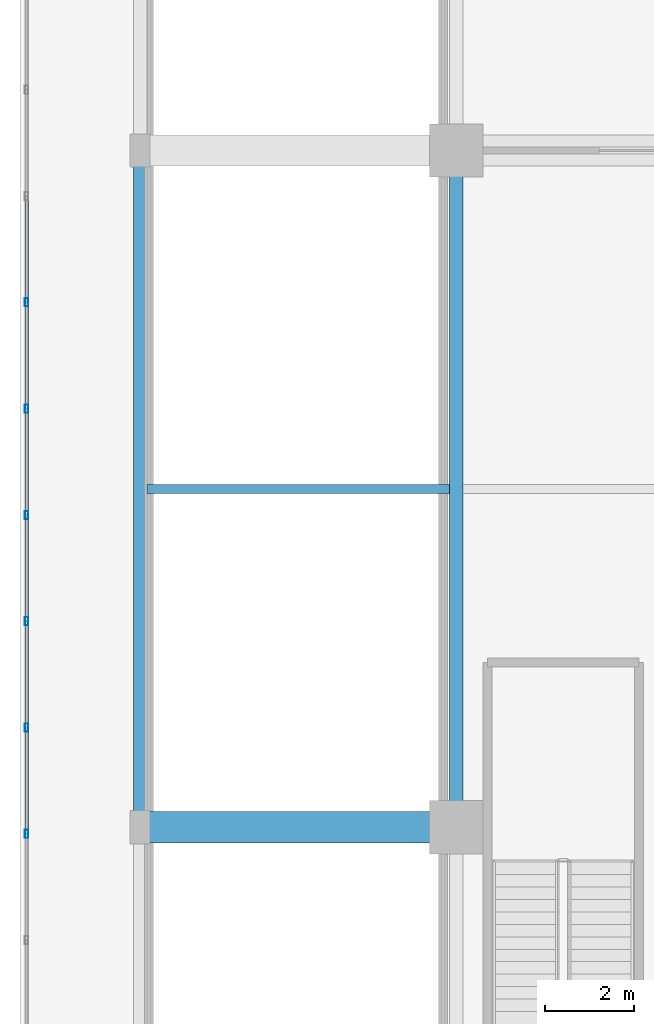
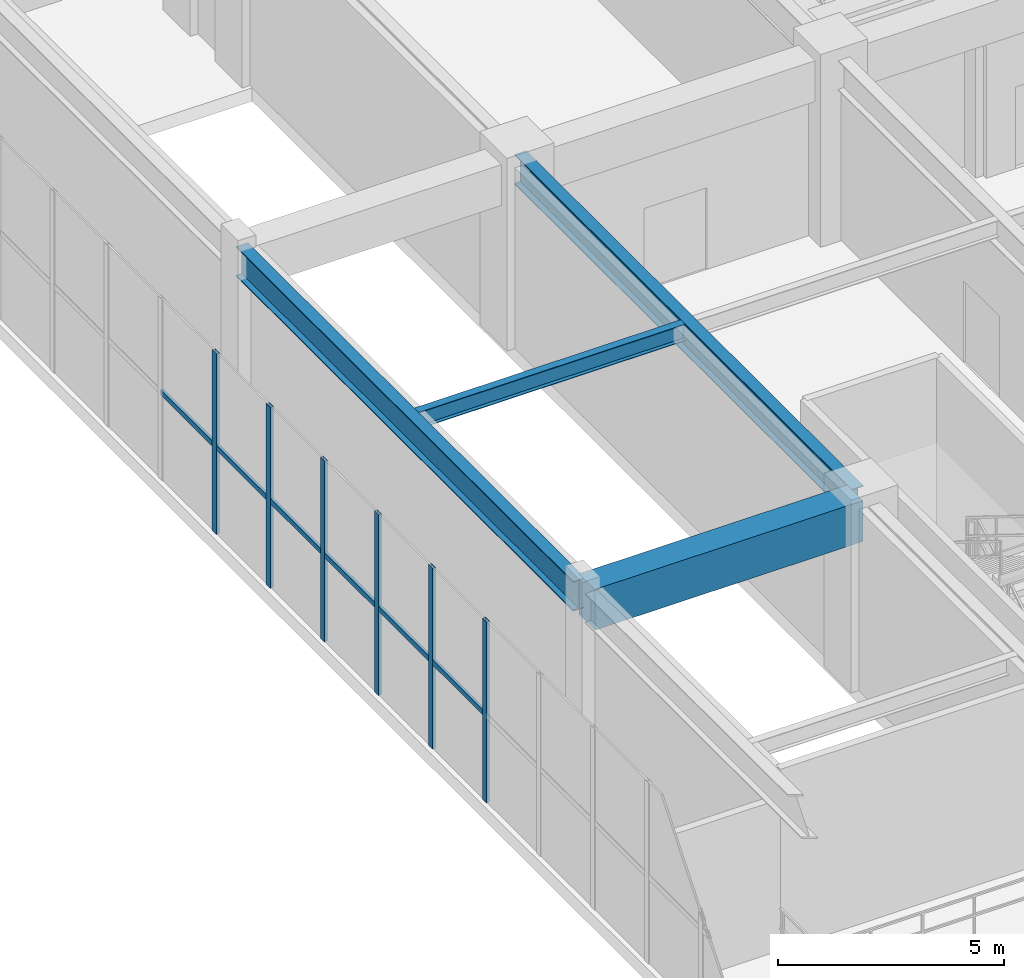
# One storey, part 8 of 40: 12 members, 4 beams, 1 element without a shape of its own.
"""IFC4 building model written with IfcOpenShell, lengths in metres."""

from ifc_helpers import new_model, si_unit, direction, frame, origin, origin_2d, place, context, subcontext, project, spatial, rectangle, hollow_rectangle, i_section, extrude, source, transform, mapped, material, material_profile, profile_set, type_object, element, aggregate, save


model = new_model("IFC4")

# Units and contexts
model_context = context("Model", 3, precision=1e-05, world=origin(), true_north=direction((0.0, 1.0)))
body_context = subcontext(model_context, "Body", "Model", "MODEL_VIEW")
ifc_project = project(units=[si_unit("LENGTHUNIT", "METRE"), si_unit("AREAUNIT", "SQUARE_METRE"), si_unit("VOLUMEUNIT", "CUBIC_METRE"), si_unit("PLANEANGLEUNIT", "RADIAN"), si_unit("MASSUNIT", "GRAM", prefix="KILO")], contexts=[model_context])

# Site, building, storey
site_placement = place(None, origin())
site = spatial("IfcSite", under=ifc_project, at=site_placement, CompositionType="ELEMENT")
building_placement = place(site_placement, origin())
building = spatial("IfcBuilding", under=site, at=building_placement, Name="Trelvane Seafront Commons", CompositionType="ELEMENT")
storey_placement = place(building_placement, origin())
storey = spatial("IfcBuildingStorey", under=building, at=storey_placement, Name="L00", CompositionType="ELEMENT", Elevation=0.0)

# Beams
ifc_material_1 = material(Name="Concrete C50/60", Category="concrete")
ifc_material_profile_1 = material_profile(ifc_material_1, rectangle(XDim=0.699951171875, YDim=1.10009765625, at=origin_2d()), Name="RC-700x1100")
ifc_profile_set_1 = profile_set([ifc_material_profile_1], Name="Concrete C50/60")
beam_type_1 = type_object("IfcBeamType", Name="STR-TBM-RC700x1100", PredefinedType="T_BEAM", material=ifc_profile_set_1)
shared_shape_1 = source(origin(), body_context, "Body", "SweptSolid", [
    extrude(rectangle(XDim=0.699951171875, YDim=1.10009765625, at=origin_2d()), origin(), (0.0, 0.0, 1.0), 6.83740234375),
])
beam_1_placement = place(storey_placement, frame((0.612548828125, 18.199951171875, 4.330078125), z_axis=(1.0, 0.0, 0.0), x_axis=(0.0, 1.0, 0.0)))
element("IfcBeam", 1, at=beam_1_placement, inside=storey, type_object=beam_type_1, Name="L00 Primary Girder G-07", PredefinedType="T_BEAM", context=body_context, shape_type="MappedRepresentation", body=[
    mapped(shared_shape_1, transform((0.0, 0.0, 0.0), x_axis=(1.0, 0.0, 0.0), y_axis=(0.0, 1.0, 0.0), z_axis=(0.0, 0.0, 1.0), scale=1.0)),
])
ifc_material_2 = material(Name="Steel SM355 (S355)", Category="steel")
ifc_material_profile_2 = material_profile(ifc_material_2, i_section(OverallWidth=0.300048828125, OverallDepth=0.800048828125, WebThickness=0.013916015625, FlangeThickness=0.02587890625, at=origin_2d()), Name="H-800x300x14x26")
ifc_profile_set_2 = profile_set([ifc_material_profile_2], Name="Steel SM355 (S355)")
beam_type_2 = type_object("IfcBeamType", Name="STR-BM-H800", PredefinedType="BEAM", material=ifc_profile_set_2)
shared_shape_2 = source(origin(), body_context, "Body", "SweptSolid", [
    extrude(i_section(OverallWidth=0.300048828125, OverallDepth=0.800048828125, WebThickness=0.013916015625, FlangeThickness=0.02587890625, at=origin_2d()), origin(), (0.0, 0.0, 1.0), 14.89990234375),
])
for number, where, z_axis, x_axis, name in (
    (2, (0.5, 18.35009765625, 4.47998046875), (0.0, 1.0, 0.0), (-1.0, 0.0, 0.0), "L00 Primary Girder G-32"),
    (3, (7.60009765625, 18.35009765625, 4.47998046875), (0.0, 1.0, 0.0), (-1.0, 0.0, 0.0), "L00 Primary Girder G-36"),
):
    element("IfcBeam", number, at=place(storey_placement, frame(where, z_axis=z_axis, x_axis=x_axis)), inside=storey, type_object=beam_type_2, Name=name, PredefinedType="BEAM", context=body_context, shape_type="MappedRepresentation", body=[
        mapped(shared_shape_2, transform((0.0, 0.0, 0.0), x_axis=(1.0, 0.0, 0.0), y_axis=(0.0, 1.0, 0.0), z_axis=(0.0, 0.0, 1.0), scale=1.0)),
    ])
ifc_material_profile_3 = material_profile(ifc_material_2, i_section(OverallWidth=0.199951171875, OverallDepth=0.449951171875, WebThickness=0.009033203125, FlangeThickness=0.013916015625, at=origin_2d()), Name="H-450x200x9x14")
ifc_profile_set_3 = profile_set([ifc_material_profile_3], Name="Steel SM355 (S355)")
beam_type_3 = type_object("IfcBeamType", Name="STR-JST-H450", PredefinedType="JOIST", material=ifc_profile_set_3)
shared_shape_3 = source(origin(), body_context, "Body", "SweptSolid", [
    extrude(i_section(OverallWidth=0.199951171875, OverallDepth=0.449951171875, WebThickness=0.009033203125, FlangeThickness=0.013916015625, at=origin_2d()), origin(), (0.0, 0.0, 1.0), 6.800048828125),
])
beam_2_placement = place(storey_placement, frame((0.64990234375, 25.800048828125, 4.655029296875), z_axis=(1.0, 0.0, 0.0), x_axis=(0.0, 1.0, 0.0)))
element("IfcBeam", 4, at=beam_2_placement, inside=storey, type_object=beam_type_3, Name="L00 Secondary Floor Joist B-65", PredefinedType="JOIST", context=body_context, shape_type="MappedRepresentation", body=[
    mapped(shared_shape_3, transform((0.0, 0.0, 0.0), x_axis=(1.0, 0.0, 0.0), y_axis=(0.0, 1.0, 0.0), z_axis=(0.0, 0.0, 1.0), scale=1.0)),
])

# Curtain wall, members
ifc_material_3 = material(Name="Anodised pale-silver aluminium", Category="aluminium")
curtain_wall_type = type_object("IfcCurtainWallType", Name="ARCH-CW4-SKYLOBBY", PredefinedType="NOTDEFINED", material=ifc_material_3)
curtain_wall_placement = place(storey_placement, origin())
curtain_wall = element("IfcCurtainWall", 5, at=curtain_wall_placement, inside=storey, type_object=curtain_wall_type, Name="CW-L00-0006", PredefinedType="NOTDEFINED")
ifc_material_profile_4 = material_profile(ifc_material_3, hollow_rectangle(XDim=0.080078125, YDim=0.179931640625, WallThickness=0.00439453125, at=origin_2d()), Name="MULL-80x180x4.5")
ifc_profile_set_4 = profile_set([ifc_material_profile_4], Name="Anodised pale-silver aluminium")
member_type_1 = type_object("IfcMemberType", Name="ARCH-CW-MULL-180", PredefinedType="MULLION", material=ifc_profile_set_4)
shared_shape_4 = source(origin(), body_context, "Body", "SweptSolid", [
    extrude(hollow_rectangle(XDim=0.080078125, YDim=0.179931640625, WallThickness=0.00439453125, at=origin_2d()), origin(), (0.0, 0.0, 1.0), 4.8798828125),
])
member_1_placement = place(storey_placement, frame((-2.050048828125, 18.052001953125, 0.0), z_axis=(0.0, 0.0, 1.0), x_axis=(1.0, 0.0, 0.0)))
member_1 = element("IfcMember", 6, at=member_1_placement, type_object=member_type_1, Name="CW-L00-0006-M06", PredefinedType="MULLION", context=body_context, shape_type="MappedRepresentation", body=[
    mapped(shared_shape_4, transform((0.0, 0.0, 0.0), x_axis=(1.0, 0.0, 0.0), y_axis=(0.0, 1.0, 0.0), z_axis=(0.0, 0.0, 1.0), scale=1.0)),
])
member_2_placement = place(storey_placement, frame((-2.050048828125, 20.43896484375, 0.0), z_axis=(0.0, 0.0, 1.0), x_axis=(1.0, 0.0, 0.0)))
member_2 = element("IfcMember", 7, at=member_2_placement, type_object=member_type_1, Name="CW-L00-0006-M07", PredefinedType="MULLION", context=body_context, shape_type="MappedRepresentation", body=[
    mapped(shared_shape_4, transform((0.0, 0.0, 0.0), x_axis=(1.0, 0.0, 0.0), y_axis=(0.0, 1.0, 0.0), z_axis=(0.0, 0.0, 1.0), scale=1.0)),
])
member_3_placement = place(storey_placement, frame((-2.050048828125, 22.825927734375, 0.0), z_axis=(0.0, 0.0, 1.0), x_axis=(1.0, 0.0, 0.0)))
member_3 = element("IfcMember", 8, at=member_3_placement, type_object=member_type_1, Name="CW-L00-0006-M08", PredefinedType="MULLION", context=body_context, shape_type="MappedRepresentation", body=[
    mapped(shared_shape_4, transform((0.0, 0.0, 0.0), x_axis=(1.0, 0.0, 0.0), y_axis=(0.0, 1.0, 0.0), z_axis=(0.0, 0.0, 1.0), scale=1.0)),
])
member_4_placement = place(storey_placement, frame((-2.050048828125, 25.212890625, 0.0), z_axis=(0.0, 0.0, 1.0), x_axis=(1.0, 0.0, 0.0)))
member_4 = element("IfcMember", 9, at=member_4_placement, type_object=member_type_1, Name="CW-L00-0006-M09", PredefinedType="MULLION", context=body_context, shape_type="MappedRepresentation", body=[
    mapped(shared_shape_4, transform((0.0, 0.0, 0.0), x_axis=(1.0, 0.0, 0.0), y_axis=(0.0, 1.0, 0.0), z_axis=(0.0, 0.0, 1.0), scale=1.0)),
])
member_5_placement = place(storey_placement, frame((-2.050048828125, 27.60009765625, 0.0), z_axis=(0.0, 0.0, 1.0), x_axis=(1.0, 0.0, 0.0)))
member_5 = element("IfcMember", 10, at=member_5_placement, type_object=member_type_1, Name="CW-L00-0006-M10", PredefinedType="MULLION", context=body_context, shape_type="MappedRepresentation", body=[
    mapped(shared_shape_4, transform((0.0, 0.0, 0.0), x_axis=(1.0, 0.0, 0.0), y_axis=(0.0, 1.0, 0.0), z_axis=(0.0, 0.0, 1.0), scale=1.0)),
])
member_6_placement = place(storey_placement, frame((-2.050048828125, 29.987060546875, 0.0), z_axis=(0.0, 0.0, 1.0), x_axis=(1.0, 0.0, 0.0)))
member_6 = element("IfcMember", 11, at=member_6_placement, type_object=member_type_1, Name="CW-L00-0006-M11", PredefinedType="MULLION", context=body_context, shape_type="MappedRepresentation", body=[
    mapped(shared_shape_4, transform((0.0, 0.0, 0.0), x_axis=(1.0, 0.0, 0.0), y_axis=(0.0, 1.0, 0.0), z_axis=(0.0, 0.0, 1.0), scale=1.0)),
])
ifc_material_profile_5 = material_profile(ifc_material_3, hollow_rectangle(XDim=0.074951171875, YDim=0.139892578125, WallThickness=0.00390625, at=origin_2d()), Name="TRAN-75x140x4")
ifc_profile_set_5 = profile_set([ifc_material_profile_5], Name="Anodised pale-silver aluminium")
member_type_2 = type_object("IfcMemberType", Name="ARCH-CW-TRAN-140", PredefinedType="USERDEFINED", material=ifc_profile_set_5)
shared_shape_5 = source(origin(), body_context, "Body", "SweptSolid", [
    extrude(hollow_rectangle(XDim=0.074951171875, YDim=0.139892578125, WallThickness=0.00390625, at=origin_2d()), origin(), (0.0, 0.0, 1.0), 2.363037109375),
])
member_7_placement = place(storey_placement, frame((-2.050048828125, 18.06396484375, 2.342041015625), z_axis=(0.0, 1.0, 0.0), x_axis=(-1.0, 0.0, 0.0)))
member_7 = element("IfcMember", 12, at=member_7_placement, type_object=member_type_2, Name="CW-L00-0006-T06", ObjectType="TRANSOM", PredefinedType="USERDEFINED", context=body_context, shape_type="MappedRepresentation", body=[
    mapped(shared_shape_5, transform((0.0, 0.0, 0.0), x_axis=(1.0, 0.0, 0.0), y_axis=(0.0, 1.0, 0.0), z_axis=(0.0, 0.0, 1.0), scale=1.0)),
])
member_8_placement = place(storey_placement, frame((-2.050048828125, 20.450927734375, 2.342041015625), z_axis=(0.0, 1.0, 0.0), x_axis=(-1.0, 0.0, 0.0)))
member_8 = element("IfcMember", 13, at=member_8_placement, type_object=member_type_2, Name="CW-L00-0006-T07", ObjectType="TRANSOM", PredefinedType="USERDEFINED", context=body_context, shape_type="MappedRepresentation", body=[
    mapped(shared_shape_5, transform((0.0, 0.0, 0.0), x_axis=(1.0, 0.0, 0.0), y_axis=(0.0, 1.0, 0.0), z_axis=(0.0, 0.0, 1.0), scale=1.0)),
])
member_9_placement = place(storey_placement, frame((-2.050048828125, 22.837890625, 2.342041015625), z_axis=(0.0, 1.0, 0.0), x_axis=(-1.0, 0.0, 0.0)))
member_9 = element("IfcMember", 14, at=member_9_placement, type_object=member_type_2, Name="CW-L00-0006-T08", ObjectType="TRANSOM", PredefinedType="USERDEFINED", context=body_context, shape_type="MappedRepresentation", body=[
    mapped(shared_shape_5, transform((0.0, 0.0, 0.0), x_axis=(1.0, 0.0, 0.0), y_axis=(0.0, 1.0, 0.0), z_axis=(0.0, 0.0, 1.0), scale=1.0)),
])
member_10_placement = place(storey_placement, frame((-2.050048828125, 27.612060546875, 2.342041015625), z_axis=(0.0, 1.0, 0.0), x_axis=(-1.0, 0.0, 0.0)))
member_10 = element("IfcMember", 15, at=member_10_placement, type_object=member_type_2, Name="CW-L00-0006-T10", ObjectType="TRANSOM", PredefinedType="USERDEFINED", context=body_context, shape_type="MappedRepresentation", body=[
    mapped(shared_shape_5, transform((0.0, 0.0, 0.0), x_axis=(1.0, 0.0, 0.0), y_axis=(0.0, 1.0, 0.0), z_axis=(0.0, 0.0, 1.0), scale=1.0)),
])
member_11_placement = place(storey_placement, frame((-2.050048828125, 29.9990234375, 2.342041015625), z_axis=(0.0, 1.0, 0.0), x_axis=(-1.0, 0.0, 0.0)))
member_11 = element("IfcMember", 16, at=member_11_placement, type_object=member_type_2, Name="CW-L00-0006-T11", ObjectType="TRANSOM", PredefinedType="USERDEFINED", context=body_context, shape_type="MappedRepresentation", body=[
    mapped(shared_shape_5, transform((0.0, 0.0, 0.0), x_axis=(1.0, 0.0, 0.0), y_axis=(0.0, 1.0, 0.0), z_axis=(0.0, 0.0, 1.0), scale=1.0)),
])
shared_shape_6 = source(origin(), body_context, "Body", "SweptSolid", [
    extrude(hollow_rectangle(XDim=0.074951171875, YDim=0.139892578125, WallThickness=0.00390625, at=origin_2d()), origin(), (0.0, 0.0, 1.0), 2.36279296875),
])
member_12_placement = place(storey_placement, frame((-2.050048828125, 25.22509765625, 2.342041015625), z_axis=(0.0, 1.0, 0.0), x_axis=(-1.0, 0.0, 0.0)))
member_12 = element("IfcMember", 17, at=member_12_placement, type_object=member_type_2, Name="CW-L00-0006-T09", ObjectType="TRANSOM", PredefinedType="USERDEFINED", context=body_context, shape_type="MappedRepresentation", body=[
    mapped(shared_shape_6, transform((0.0, 0.0, 0.0), x_axis=(1.0, 0.0, 0.0), y_axis=(0.0, 1.0, 0.0), z_axis=(0.0, 0.0, 1.0), scale=1.0)),
])
aggregate(curtain_wall, [member_1, member_2, member_3, member_4, member_5, member_6, member_7, member_8, member_9, member_12, member_10, member_11])

save(model, "model.ifc")
